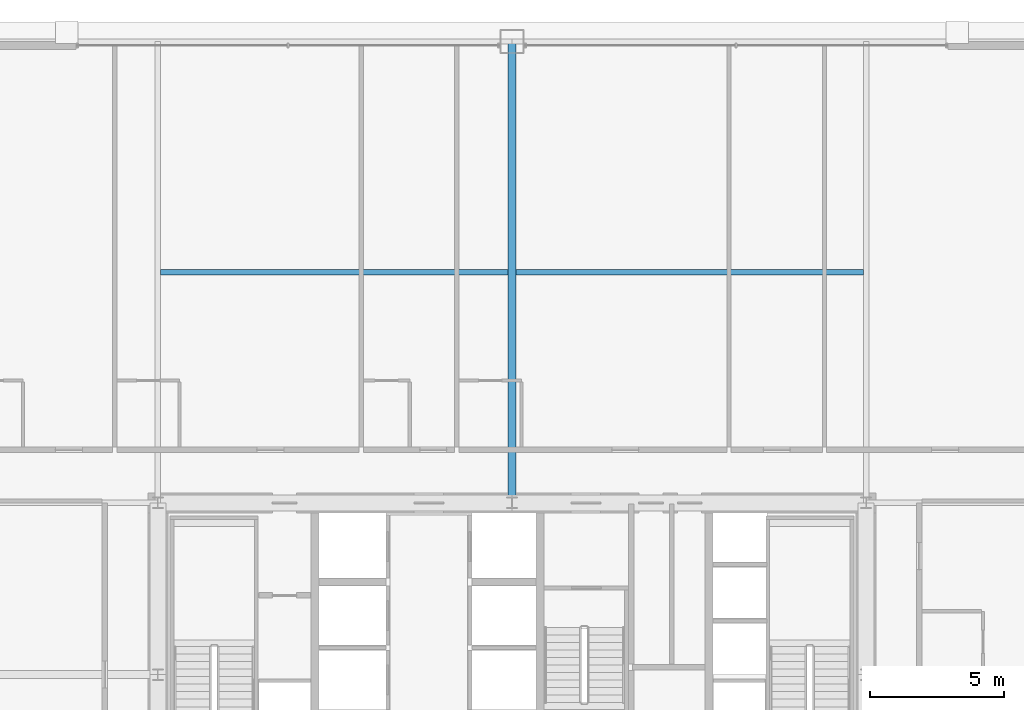
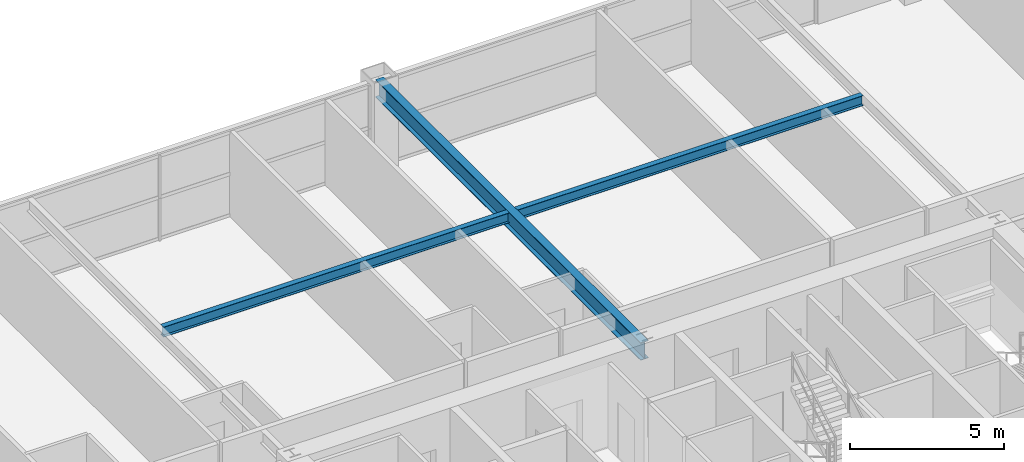
# One storey, part 25 of 38: 3 beams.
"""IFC4 building model written with IfcOpenShell, lengths in metres."""

from ifc_helpers import new_model, si_unit, direction, frame, origin, origin_2d, place, context, subcontext, project, spatial, i_section, extrude, source, transform, mapped, material, material_profile, profile_set, type_object, element, save


model = new_model("IFC4")

# Units and contexts
model_context = context("Model", 3, precision=1e-05, world=origin(), true_north=direction((0.0, 1.0)))
body_context = subcontext(model_context, "Body", "Model", "MODEL_VIEW")
ifc_project = project(units=[si_unit("LENGTHUNIT", "METRE"), si_unit("AREAUNIT", "SQUARE_METRE"), si_unit("VOLUMEUNIT", "CUBIC_METRE"), si_unit("PLANEANGLEUNIT", "RADIAN"), si_unit("MASSUNIT", "GRAM", prefix="KILO"), si_unit("THERMODYNAMICTEMPERATUREUNIT", "KELVIN"), si_unit("POWERUNIT", "WATT")], contexts=[model_context])

# Site, building, storey
site_placement = place(None, origin())
site = spatial("IfcSite", under=ifc_project, at=site_placement, CompositionType="ELEMENT")
building_placement = place(site_placement, origin())
building = spatial("IfcBuilding", under=site, at=building_placement, Name="Yuzanri Waterfront Tower", CompositionType="ELEMENT")
storey_placement = place(building_placement, frame((0.0, 0.0, 119.0)))
storey = spatial("IfcBuildingStorey", under=building, at=storey_placement, Name="L31", CompositionType="ELEMENT", Elevation=119.0)

# Beams
ifc_material_1 = material(Name="Steel Q355B", Category="steel")
ifc_material_profile_1 = material_profile(ifc_material_1, i_section(OverallWidth=0.199951171875, OverallDepth=0.39990234375, WebThickness=0.008056640625, FlangeThickness=0.012939453125, at=origin_2d()), Name="HN 400x200x8x13")
ifc_profile_set_1 = profile_set([ifc_material_profile_1], Name="Steel Q355B")
beam_type_1 = type_object("IfcBeamType", Name="Floor Joist Q355B HN 400x200", PredefinedType="JOIST", material=ifc_profile_set_1)
shared_shape_1 = source(origin(), body_context, "Body", "SweptSolid", [
    extrude(i_section(OverallWidth=0.199951171875, OverallDepth=0.39990234375, WebThickness=0.008056640625, FlangeThickness=0.012939453125, at=origin_2d()), origin(), (0.0, 0.0, 1.0), 12.9501953125),
])
for number, where, z_axis, x_axis, name in (
    (1, (23.89990234375, 40.800048828125, 3.179931640625), (1.0, 0.0, 0.0), (0.0, 1.0, 0.0), "L31 North Bay Joist W"),
    (2, (37.14990234375, 40.800048828125, 3.179931640625), (1.0, 0.0, 0.0), (0.0, 1.0, 0.0), "L31 North Bay Joist E"),
):
    element("IfcBeam", number, at=place(storey_placement, frame(where, z_axis=z_axis, x_axis=x_axis)), inside=storey, type_object=beam_type_1, Name=name, PredefinedType="JOIST", context=body_context, shape_type="MappedRepresentation", body=[
        mapped(shared_shape_1, transform((0.0, 0.0, 0.0), scale=1.0)),
    ])
ifc_material_2 = material(Name="Steel Q355B", Category="steel")
ifc_material_profile_2 = material_profile(ifc_material_2, i_section(OverallWidth=0.300048828125, OverallDepth=0.699951171875, WebThickness=0.012939453125, FlangeThickness=0.02392578125, at=origin_2d()), Name="HN 700x300x13x24")
ifc_profile_set_2 = profile_set([ifc_material_profile_2], Name="Steel Q355B")
beam_type_2 = type_object("IfcBeamType", Name="Primary Floor Girder Q355B HN 700x300", PredefinedType="BEAM", material=ifc_profile_set_2)
shared_shape_2 = source(origin(), body_context, "Body", "SweptSolid", [
    extrude(i_section(OverallWidth=0.300048828125, OverallDepth=0.699951171875, WebThickness=0.012939453125, FlangeThickness=0.02392578125, at=origin_2d()), origin(), (0.0, 0.0, 1.0), 17.199951171875),
])
beam_placement = place(storey_placement, frame((37.0, 32.199951171875, 3.030029296875), z_axis=(0.0, 1.0, 0.0), x_axis=(-1.0, 0.0, 0.0)))
element("IfcBeam", 3, at=beam_placement, inside=storey, type_object=beam_type_2, Name="L31 North Grid Girder", PredefinedType="BEAM", context=body_context, shape_type="MappedRepresentation", body=[
    mapped(shared_shape_2, transform((0.0, 0.0, 0.0), scale=1.0)),
])

save(model, "model.ifc")
